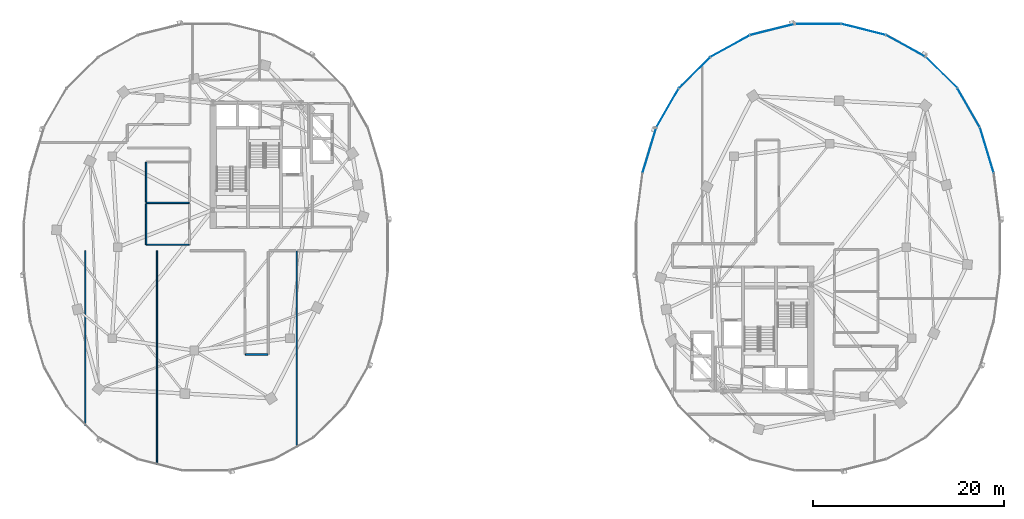
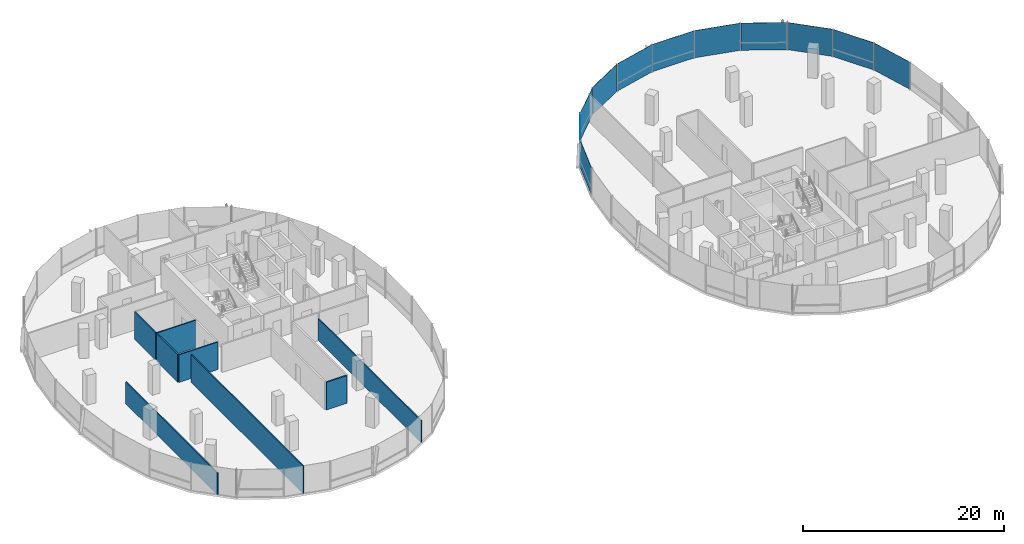
# One storey, part 11 of 22: 11 plates, 8 walls, 2 elements without a shape of their own.
"""IFC4 building model written with IfcOpenShell, lengths in metres."""

from ifc_helpers import new_model, si_unit, direction, frame, frame_2d, origin, origin_2d, place, context, subcontext, project, spatial, rectangle, extrude, material, layer, layer_set, type_object, element, aggregate, save


model = new_model("IFC4")

# Units and contexts
model_context = context("Model", 3, precision=1e-05, world=origin(), true_north=direction((0.0, 1.0)))
body_context = subcontext(model_context, "Body", "Model", "MODEL_VIEW")
ifc_project = project(units=[si_unit("LENGTHUNIT", "METRE"), si_unit("AREAUNIT", "SQUARE_METRE"), si_unit("VOLUMEUNIT", "CUBIC_METRE"), si_unit("PLANEANGLEUNIT", "RADIAN"), si_unit("MASSUNIT", "GRAM", prefix="KILO"), si_unit("THERMODYNAMICTEMPERATUREUNIT", "KELVIN"), si_unit("POWERUNIT", "WATT")], contexts=[model_context])

# Site, building, storey
site_placement = place(None, origin())
site = spatial("IfcSite", under=ifc_project, at=site_placement, CompositionType="ELEMENT")
building_placement = place(site_placement, origin())
building = spatial("IfcBuilding", under=site, at=building_placement, Name="Cundina Bronze Exchange", CompositionType="ELEMENT")
storey_placement = place(building_placement, frame((0.0, 0.0, 144.0)))
storey = spatial("IfcBuildingStorey", under=building, at=storey_placement, Name="L37", CompositionType="ELEMENT", Elevation=144.0)

# Curtain wall, plates
ifc_material_1 = material(Name="Anodised Bronze Aluminium 6063-T6", Category="aluminium")
curtain_wall_type = type_object("IfcCurtainWallType", Name="CWS-WST-PIN", PredefinedType="NOTDEFINED", material=ifc_material_1)
curtain_wall_1_placement = place(storey_placement, origin())
curtain_wall_1 = element("IfcCurtainWall", 1, at=curtain_wall_1_placement, inside=storey, type_object=curtain_wall_type, Name="L37 CW-04 Curtain Wall Run CWR-L37-E1", PredefinedType="NOTDEFINED")
ifc_material_2 = material(Name="Heat-Strengthened Solar-Control Bronze Safety Glass 28mm", Category="glass")
ifc_layer_1 = layer(ifc_material_2, 0.028076171875, Name="Heat-Strengthened Solar-Control Bronze Safety Glass 28mm", Category="glass")
ifc_layer_set_1 = layer_set([ifc_layer_1], Name="Heat-Strengthened Solar-Control Bronze Safety Glass 28mm")
plate_type_1 = type_object("IfcPlateType", Name="PLT-GLZ-VIS28", PredefinedType="CURTAIN_PANEL", material=ifc_layer_set_1)
plate_1_placement = place(storey_placement, frame((49.63330078125, 10.14208984375, 0.02001953125), z_axis=(0.0, 0.0, 1.0), x_axis=(-0.290050843957, 0.957011237092, 0.0)))
plate_1 = element("IfcPlate", 2, at=plate_1_placement, type_object=plate_type_1, Name="CW-04 Glazed Panel 2", PredefinedType="CURTAIN_PANEL", context=body_context, shape_type="SweptSolid", body=[
    extrude(rectangle(XDim=4.885009765625, YDim=0.028076171875, at=origin_2d()), origin(), (0.0, 0.0, 1.0), 3.320068359375),
])
plate_2_placement = place(storey_placement, frame((44.894775390625, 18.253662109375, 0.02001953125), z_axis=(0.0, 0.0, 1.0), x_axis=(-0.711989280367, 0.702190333629, 0.0)))
plate_2 = element("IfcPlate", 3, at=plate_2_placement, type_object=plate_type_1, Name="CW-04 Glazed Panel 4", PredefinedType="CURTAIN_PANEL", context=body_context, shape_type="SweptSolid", body=[
    extrude(rectangle(XDim=4.6025390625, YDim=0.028076171875, at=origin_2d()), origin(), (0.0, 0.0, 1.0), 3.320068359375),
])
plate_3_placement = place(storey_placement, frame((41.16845703125, 21.02880859375, 0.02001953125), z_axis=(0.0, 0.0, 1.0), x_axis=(-0.875869093438, 0.482548786301, 0.0)))
plate_3 = element("IfcPlate", 4, at=plate_3_placement, type_object=plate_type_1, Name="CW-04 Glazed Panel 5", PredefinedType="CURTAIN_PANEL", context=body_context, shape_type="SweptSolid", body=[
    extrude(rectangle(XDim=4.661865234375, YDim=0.028076171875, at=origin_2d()), origin(), (0.0, 0.0, 1.0), 3.320068359375),
])
plate_4_placement = place(storey_placement, frame((36.76513671875, 22.75244140625, 0.02001953125), z_axis=(0.0, 0.0, 1.0), x_axis=(-0.970092713791, 0.242734683656, 0.0)))
plate_4 = element("IfcPlate", 5, at=plate_4_placement, type_object=plate_type_1, Name="CW-04 Glazed Panel 6", PredefinedType="CURTAIN_PANEL", context=body_context, shape_type="SweptSolid", body=[
    extrude(rectangle(XDim=4.7548828125, YDim=0.028076171875, at=origin_2d()), origin(), (0.0, 0.0, 1.0), 3.320068359375),
])
plate_5_placement = place(storey_placement, frame((32.0, 23.3369140625, 0.02001953125), z_axis=(0.0, 0.0, 1.0), x_axis=(-1.0, 0.0, 0.0)))
plate_5 = element("IfcPlate", 6, at=plate_5_placement, type_object=plate_type_1, Name="CW-04 Glazed Panel 7", PredefinedType="CURTAIN_PANEL", context=body_context, shape_type="SweptSolid", body=[
    extrude(rectangle(XDim=4.7958984375, YDim=0.028076171875, at=origin_2d()), origin(), (0.0, 0.0, 1.0), 3.320068359375),
])

curtain_wall_2_placement = place(storey_placement, origin())
curtain_wall_2 = element("IfcCurtainWall", 7, at=curtain_wall_2_placement, inside=storey, type_object=curtain_wall_type, Name="L37 CW-04 Curtain Wall Run CWR-L37-E2", PredefinedType="NOTDEFINED")
plate_6_placement = place(storey_placement, frame((27.23486328125, 22.75244140625, 0.02001953125), z_axis=(0.0, 0.0, 1.0), x_axis=(-0.970092713791, -0.242734683656, 0.0)))
plate_6 = element("IfcPlate", 8, at=plate_6_placement, type_object=plate_type_1, Name="CW-04 Glazed Panel 1", PredefinedType="CURTAIN_PANEL", context=body_context, shape_type="SweptSolid", body=[
    extrude(rectangle(XDim=4.7548828125, YDim=0.028076171875, at=origin_2d()), origin(), (0.0, 0.0, 1.0), 3.320068359375),
])
plate_7_placement = place(storey_placement, frame((19.105224609375, 18.253662109375, 0.02001953125), z_axis=(0.0, 0.0, 1.0), x_axis=(-0.711989280367, -0.702190333629, 0.0)))
plate_7 = element("IfcPlate", 9, at=plate_7_placement, type_object=plate_type_1, Name="CW-04 Glazed Panel 3", PredefinedType="CURTAIN_PANEL", context=body_context, shape_type="SweptSolid", body=[
    extrude(rectangle(XDim=4.6025390625, YDim=0.028076171875, at=origin_2d()), origin(), (0.0, 0.0, 1.0), 3.320068359375),
])
plate_8_placement = place(storey_placement, frame((16.265625, 14.564697265625, 0.02001953125), z_axis=(0.0, 0.0, 1.0), x_axis=(-0.498487739754, -0.866896748936, 0.0)))
plate_8 = element("IfcPlate", 10, at=plate_8_placement, type_object=plate_type_1, Name="CW-04 Glazed Panel 4", PredefinedType="CURTAIN_PANEL", context=body_context, shape_type="SweptSolid", body=[
    extrude(rectangle(XDim=4.676513671875, YDim=0.028076171875, at=origin_2d()), origin(), (0.0, 0.0, 1.0), 3.320068359375),
])
plate_9_placement = place(storey_placement, frame((14.36669921875, 10.14208984375, 0.02001953125), z_axis=(0.0, 0.0, 1.0), x_axis=(-0.290050843957, -0.957011237092, 0.0)))
plate_9 = element("IfcPlate", 11, at=plate_9_placement, type_object=plate_type_1, Name="CW-04 Glazed Panel 5", PredefinedType="CURTAIN_PANEL", context=body_context, shape_type="SweptSolid", body=[
    extrude(rectangle(XDim=4.885009765625, YDim=0.028076171875, at=origin_2d()), origin(), (0.0, 0.0, 1.0), 3.320068359375),
])

# Plate
ifc_material_3 = material(Name="Dark Bronze Spandrel Glass Panel 32mm", Category="glass")
ifc_layer_2 = layer(ifc_material_3, 0.031982421875, Name="Dark Bronze Spandrel Glass Panel 32mm", Category="glass")
ifc_layer_set_2 = layer_set([ifc_layer_2], Name="Dark Bronze Spandrel Glass Panel 32mm")
plate_type_2 = type_object("IfcPlateType", Name="PLT-SPN-BRZ32", PredefinedType="CURTAIN_PANEL", material=ifc_layer_set_2)
plate_10_placement = place(storey_placement, frame((47.734375, 14.564697265625, 0.02001953125), z_axis=(0.0, 0.0, 1.0), x_axis=(-0.498487739754, 0.866896748936, 0.0)))
plate_10 = element("IfcPlate", 12, at=plate_10_placement, type_object=plate_type_2, Name="CW-04 Glazed Panel 3", PredefinedType="CURTAIN_PANEL", context=body_context, shape_type="SweptSolid", body=[
    extrude(rectangle(XDim=4.676513671875, YDim=0.031982421875, at=origin_2d()), origin(), (0.0, 0.0, 1.0), 3.320068359375),
])

aggregate(curtain_wall_1, [plate_1, plate_10, plate_2, plate_3, plate_4, plate_5])

plate_11_placement = place(storey_placement, frame((22.83154296875, 21.02880859375, 0.02001953125), z_axis=(0.0, 0.0, 1.0), x_axis=(-0.875869093438, -0.482548786301, 0.0)))
plate_11 = element("IfcPlate", 13, at=plate_11_placement, type_object=plate_type_2, Name="CW-04 Glazed Panel 2", PredefinedType="CURTAIN_PANEL", context=body_context, shape_type="SweptSolid", body=[
    extrude(rectangle(XDim=4.661865234375, YDim=0.031982421875, at=origin_2d()), origin(), (0.0, 0.0, 1.0), 3.320068359375),
])

aggregate(curtain_wall_2, [plate_6, plate_11, plate_7, plate_8, plate_9])

# Walls
ifc_material_4 = material(Name="Gypsum Fireboard Partition EI120")
ifc_layer_3 = layer(ifc_material_4, 0.179931640625, Name="Gypsum Fireboard Partition EI120")
ifc_layer_set_3 = layer_set([ifc_layer_3], Name="Gypsum Fireboard Partition EI120")
wall_type_1 = type_object("IfcWallType", Name="WL-COR-180", PredefinedType="PARTITIONING", material=ifc_layer_set_3)
wall_1_placement = place(storey_placement, frame((-27.87841796875, -11.219970703125, 0.0), z_axis=(0.0, 0.0, 1.0), x_axis=(1.0, 0.0, 0.0)))
element("IfcWall", 14, at=wall_1_placement, inside=storey, type_object=wall_type_1, Name="L37 Interior Partition 027", PredefinedType="PARTITIONING", context=body_context, shape_type="SweptSolid", body=[
    extrude(rectangle(XDim=2.35693359375, YDim=0.179931640625, at=frame_2d((1.178466796875, 0.0))), origin(), (0.0, 0.0, 1.0), 3.360107421875),
])
ifc_material_5 = material(Name="Gypsum Acoustic Partition EI60")
ifc_layer_4 = layer(ifc_material_5, 0.125, Name="Gypsum Acoustic Partition EI60")
ifc_layer_set_4 = layer_set([ifc_layer_4], Name="Gypsum Acoustic Partition EI60")
wall_type_2 = type_object("IfcWallType", Name="WL-OFF-125", PredefinedType="PARTITIONING", material=ifc_layer_set_4)
wall_2_placement = place(storey_placement, frame((-44.60009765625, -18.643798828125, 0.0), z_axis=(0.0, 0.0, 1.0), x_axis=(0.0, 1.0, 0.0)))
element("IfcWall", 15, at=wall_2_placement, inside=storey, type_object=wall_type_2, Name="L37 Interior Partition 016", PredefinedType="PARTITIONING", context=body_context, shape_type="SweptSolid", body=[
    extrude(rectangle(XDim=18.273681640625, YDim=0.125, at=frame_2d((9.13671875, 0.0))), origin(), (0.0, 0.0, 1.0), 2.6650390625),
])
wall_3_placement = place(storey_placement, frame((-37.10009765625, -22.736328125, 0.0), z_axis=(0.0, 0.0, 1.0), x_axis=(0.0, 1.0, 0.0)))
element("IfcWall", 16, at=wall_3_placement, inside=storey, type_object=wall_type_2, Name="L37 Interior Partition 017", PredefinedType="PARTITIONING", context=body_context, shape_type="SweptSolid", body=[
    extrude(rectangle(XDim=22.3662109375, YDim=0.125, at=frame_2d((11.18310546875, 0.0))), origin(), (0.0, 0.0, 1.0), 3.360107421875),
])
wall_4_placement = place(storey_placement, frame((-22.5, -20.923095703125, 0.0), z_axis=(0.0, 0.0, 1.0), x_axis=(0.0, 1.0, 0.0)))
element("IfcWall", 17, at=wall_4_placement, inside=storey, type_object=wall_type_2, Name="L37 Interior Partition 018", PredefinedType="PARTITIONING", context=body_context, shape_type="SweptSolid", body=[
    extrude(rectangle(XDim=20.523193359375, YDim=0.125, at=frame_2d((10.26171875, 0.0))), origin(), (0.0, 0.0, 1.0), 2.6650390625),
])
ifc_material_6 = material(Name="Moisture-Resistant Masonry Block Grade M15", Category="masonry")
ifc_layer_5 = layer(ifc_material_6, 0.139892578125, Name="Moisture-Resistant Masonry Block Grade M15", Category="masonry")
ifc_layer_set_5 = layer_set([ifc_layer_5], Name="Moisture-Resistant Masonry Block Grade M15")
wall_type_3 = type_object("IfcWallType", Name="WL-WET-140", PredefinedType="PARTITIONING", material=ifc_layer_set_5)
wall_5_placement = place(storey_placement, frame((-38.239990234375, 0.27001953125, 0.0), z_axis=(0.0, 0.0, 1.0), x_axis=(0.0, 1.0, 0.0)))
element("IfcWall", 18, at=wall_5_placement, inside=storey, type_object=wall_type_3, Name="L37 Interior Partition 009", PredefinedType="PARTITIONING", context=body_context, shape_type="SweptSolid", body=[
    extrude(rectangle(XDim=4.27490234375, YDim=0.139892578125, at=frame_2d((2.137451171875, 0.0))), origin(), (0.0, 0.0, 1.0), 3.360107421875),
])
wall_6_placement = place(storey_placement, frame((-38.239990234375, 4.715087890625, 0.0), z_axis=(0.0, 0.0, 1.0), x_axis=(0.0, 1.0, 0.0)))
element("IfcWall", 19, at=wall_6_placement, inside=storey, type_object=wall_type_3, Name="L37 Interior Partition 010", PredefinedType="PARTITIONING", context=body_context, shape_type="SweptSolid", body=[
    extrude(rectangle(XDim=4.1748046875, YDim=0.139892578125, at=frame_2d((2.08740234375, 0.0))), origin(), (0.0, 0.0, 1.0), 3.360107421875),
])
for number, where, z_axis, x_axis, name in (
    (20, (-38.219970703125, 0.25, 0.0), (0.0, 0.0, 1.0), (1.0, 0.0, 0.0), "L37 Interior Partition 011"),
    (21, (-38.219970703125, 4.6298828125, 0.0), (0.0, 0.0, 1.0), (1.0, 0.0, 0.0), "L37 Interior Partition 012"),
):
    element("IfcWall", number, at=place(storey_placement, frame(where, z_axis=z_axis, x_axis=x_axis)), inside=storey, type_object=wall_type_3, Name=name, PredefinedType="PARTITIONING", context=body_context, shape_type="SweptSolid", body=[
        extrude(rectangle(XDim=4.47998046875, YDim=0.139892578125, at=frame_2d((2.239990234375, 0.0))), origin(), (0.0, 0.0, 1.0), 3.360107421875),
    ])

save(model, "model.ifc")
